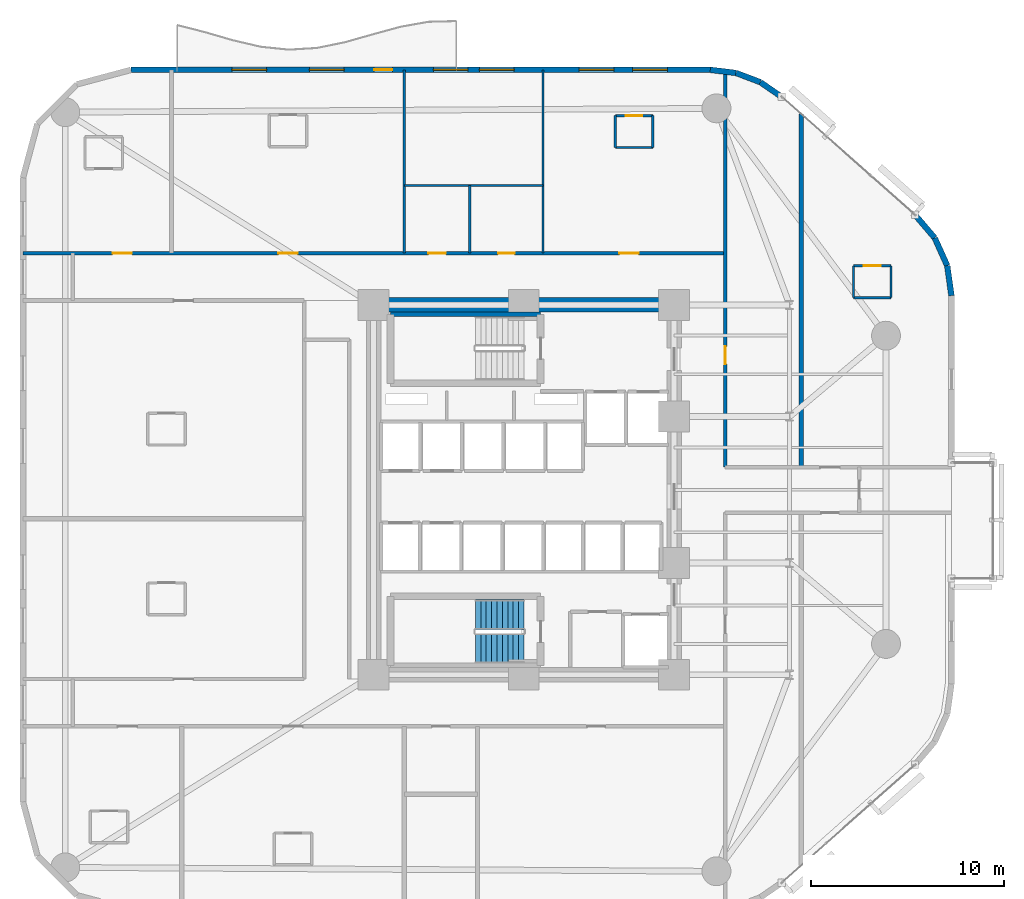
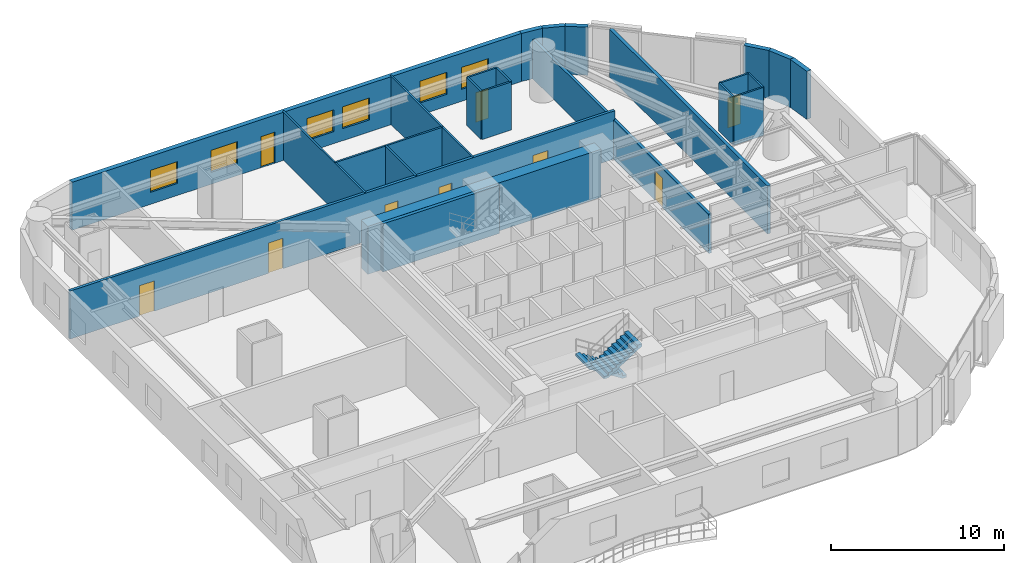
# One storey, part 13 of 17: 24 walls, 9 doors, 6 windows, 2 stair flights, 15 openings, 1 element without a shape of its own.
"""IFC4 building model written with IfcOpenShell, lengths in metres."""

from ifc_helpers import new_model, si_unit, direction, frame, frame_2d, origin, place, context, subcontext, project, spatial, polyline, rectangle, outline, extrude, material, layer, layer_set, type_object, element, fill, aggregate, save


model = new_model("IFC4")

# Units and contexts
model_context = context("Model", 3, precision=1e-05, world=origin(), true_north=direction((0.0, 1.0)))
body_context = subcontext(model_context, "Body", "Model", "MODEL_VIEW")
ifc_project = project(units=[si_unit("LENGTHUNIT", "METRE"), si_unit("AREAUNIT", "SQUARE_METRE"), si_unit("VOLUMEUNIT", "CUBIC_METRE"), si_unit("PLANEANGLEUNIT", "RADIAN"), si_unit("MASSUNIT", "GRAM", prefix="KILO")], contexts=[model_context])

# Site, building, storey
site_placement = place(None, origin())
site = spatial("IfcSite", under=ifc_project, at=site_placement, CompositionType="ELEMENT")
building_placement = place(site_placement, origin())
building = spatial("IfcBuilding", under=site, at=building_placement, Name="An Khanh Terracotta Commons", CompositionType="ELEMENT")
storey_placement = place(building_placement, frame((0.0, 0.0, 36.0)))
storey = spatial("IfcBuildingStorey", under=building, at=storey_placement, Name="L09", CompositionType="ELEMENT", Elevation=36.0)

# Wall
ifc_material_1 = material(Name="Concrete C70/85", Category="concrete")
ifc_layer_1 = layer(ifc_material_1, 0.75, Name="Concrete C70/85")
ifc_layer_set_1 = layer_set([ifc_layer_1], Name="Concrete C70/85")
wall_type_1 = type_object("IfcWallType", Name="WALL-CORE-750", PredefinedType="SHEAR", material=ifc_layer_set_1)
wall_1_placement = place(storey_placement, frame((21.60009765625, 33.60009765625, 0.0), z_axis=(0.0, 0.0, 1.0), x_axis=(1.0, 0.0, 0.0)))
element("IfcWall", 1, at=wall_1_placement, inside=storey, type_object=wall_type_1, Name="L09 Core Wall CWALL-L09-N", PredefinedType="SHEAR", context=body_context, shape_type="SweptSolid", body=[
    extrude(rectangle(XDim=15.599853515625, YDim=0.75, at=frame_2d((7.7998046875, 0.0))), origin(), (0.0, 0.0, 1.0), 3.39990234375),
])

# Wall, openings, doors
ifc_material_2 = material(Name="Fire-Rated Gypsum Board on Steel Stud", Category="steel")
ifc_layer_2 = layer(ifc_material_2, 0.179931640625, Name="Fire-Rated Gypsum Board on Steel Stud")
ifc_layer_set_2 = layer_set([ifc_layer_2], Name="Fire-Rated Gypsum Board on Steel Stud")
wall_type_2 = type_object("IfcWallType", Name="WALL-CORR-180", PredefinedType="PARTITIONING", material=ifc_layer_set_2)
wall_2_placement = place(storey_placement, frame((3.39990234375, 36.280029296875, 0.0), z_axis=(0.0, 0.0, 1.0), x_axis=(1.0, 0.0, 0.0)))
wall_2 = element("IfcWall", 2, at=wall_2_placement, inside=storey, type_object=wall_type_2, Name="L09 Interior Partition IW-L09-E009", PredefinedType="PARTITIONING", context=body_context, shape_type="SweptSolid", body=[
    extrude(rectangle(XDim=36.4501953125, YDim=0.179931640625, at=frame_2d((18.22509765625, 0.0))), origin(), (0.0, 0.0, 1.0), 3.39990234375),
])
opening_1_placement = place(wall_2_placement, frame((21.050048828125, 0.0, 0.0)))
opening_1 = element("IfcOpeningElement", 3, at=opening_1_placement, cuts=wall_2, Name="Opening D-WC", PredefinedType="OPENING", context=body_context, shape_type="SweptSolid", body=[
    extrude(rectangle(XDim=0.89990234375, YDim=2.10009765625, at=frame_2d((0.449951171875, 1.050048828125))), frame((0.0, 0.099853515625, 0.0), z_axis=(0.0, -1.0, 0.0), x_axis=(1.0, 0.0, 0.0)), (0.0, 0.0, 1.0), 0.199951171875),
])
opening_2_placement = place(wall_2_placement, frame((24.669921875, 0.0, 0.0)))
opening_2 = element("IfcOpeningElement", 4, at=opening_2_placement, cuts=wall_2, Name="Opening D-ENS", PredefinedType="OPENING", context=body_context, shape_type="SweptSolid", body=[
    extrude(rectangle(XDim=0.860107421875, YDim=2.10009765625, at=frame_2d((0.43017578125, 1.050048828125))), frame((0.0, 0.099853515625, 0.0), z_axis=(0.0, -1.0, 0.0), x_axis=(1.0, 0.0, 0.0)), (0.0, 0.0, 1.0), 0.199951171875),
])
opening_3_placement = place(wall_2_placement, frame((4.658935546875, 0.0, 0.0)))
opening_3 = element("IfcOpeningElement", 5, at=opening_3_placement, cuts=wall_2, Name="Opening D-UN", PredefinedType="OPENING", context=body_context, shape_type="SweptSolid", body=[
    extrude(rectangle(XDim=1.0, YDim=2.14990234375, at=frame_2d((0.5, 1.074951171875))), frame((0.0, 0.099853515625, 0.0), z_axis=(0.0, -1.0, 0.0), x_axis=(1.0, 0.0, 0.0)), (0.0, 0.0, 1.0), 0.199951171875),
])
opening_4_placement = place(wall_2_placement, frame((13.258056640625, 0.0, 0.0)))
opening_4 = element("IfcOpeningElement", 6, at=opening_4_placement, cuts=wall_2, Name="Opening D-UN", PredefinedType="OPENING", context=body_context, shape_type="SweptSolid", body=[
    extrude(rectangle(XDim=1.0, YDim=2.14990234375, at=frame_2d((0.5, 1.074951171875))), frame((0.0, 0.099853515625, 0.0), z_axis=(0.0, -1.0, 0.0), x_axis=(1.0, 0.0, 0.0)), (0.0, 0.0, 1.0), 0.199951171875),
])
opening_5_placement = place(wall_2_placement, frame((30.965087890625, 0.0, 0.0)))
opening_5 = element("IfcOpeningElement", 7, at=opening_5_placement, cuts=wall_2, Name="Opening D-UN", PredefinedType="OPENING", context=body_context, shape_type="SweptSolid", body=[
    extrude(rectangle(XDim=1.0, YDim=2.14990234375, at=frame_2d((0.5, 1.074951171875))), frame((0.0, 0.099853515625, 0.0), z_axis=(0.0, -1.0, 0.0), x_axis=(1.0, 0.0, 0.0)), (0.0, 0.0, 1.0), 0.199951171875),
])
ifc_material_3 = material(Name="Moisture-Resistant Hardwood Timber Leaf", Category="wood")
door_type_1 = type_object("IfcDoorType", Name="DOOR-BATH-860", OperationType="NOTDEFINED", PredefinedType="DOOR", material=ifc_material_3)
door_1_placement = place(opening_2_placement, origin())
door_1 = element("IfcDoor", 8, at=door_1_placement, inside=storey, type_object=door_type_1, Name="L09 SHW Resident Shared Shower and Washroom Door", OperationType="SINGLE_SWING_LEFT", OverallHeight=2.10009765625, OverallWidth=0.860107421875, PredefinedType="DOOR", context=body_context, shape_type="SweptSolid", body=[
    extrude(rectangle(XDim=0.860107421875, YDim=2.10009765625, at=frame_2d((0.43017578125, 1.050048828125))), frame((0.0, 0.02490234375, 0.0), z_axis=(0.0, -1.0, 0.0), x_axis=(1.0, 0.0, 0.0)), (0.0, 0.0, 1.0), 0.050048828125),
])
fill(opening_2, door_1)
ifc_material_4 = material(Name="Solid-Core Hardwood Acoustic Fire Door", Category="wood")
door_type_2 = type_object("IfcDoorType", Name="DOOR-UNIT-1000", OperationType="NOTDEFINED", PredefinedType="DOOR", material=ifc_material_4)
door_2_placement = place(opening_3_placement, origin())
door_2 = element("IfcDoor", 9, at=door_2_placement, inside=storey, type_object=door_type_2, Name="L09 NW1 Kitchenette and Studio Apartment Door", OperationType="SINGLE_SWING_RIGHT", OverallHeight=2.14990234375, OverallWidth=1.0, PredefinedType="DOOR", context=body_context, shape_type="SweptSolid", body=[
    extrude(rectangle(XDim=1.0, YDim=2.14990234375, at=frame_2d((0.5, 1.074951171875))), frame((0.0, 0.02490234375, 0.0), z_axis=(0.0, -1.0, 0.0), x_axis=(1.0, 0.0, 0.0)), (0.0, 0.0, 1.0), 0.050048828125),
])
fill(opening_3, door_2)
door_3_placement = place(opening_4_placement, origin())
door_3 = element("IfcDoor", 10, at=door_3_placement, inside=storey, type_object=door_type_2, Name="L09 NW2 Kitchenette and Studio Apartment Door", OperationType="SINGLE_SWING_LEFT", OverallHeight=2.14990234375, OverallWidth=1.0, PredefinedType="DOOR", context=body_context, shape_type="SweptSolid", body=[
    extrude(rectangle(XDim=1.0, YDim=2.14990234375, at=frame_2d((0.5, 1.074951171875))), frame((0.0, 0.02490234375, 0.0), z_axis=(0.0, -1.0, 0.0), x_axis=(1.0, 0.0, 0.0)), (0.0, 0.0, 1.0), 0.050048828125),
])
fill(opening_4, door_3)
door_4_placement = place(opening_5_placement, origin())
door_4 = element("IfcDoor", 11, at=door_4_placement, inside=storey, type_object=door_type_2, Name="L09 NWE Kitchenette and Studio Apartment Door", OperationType="SINGLE_SWING_RIGHT", OverallHeight=2.14990234375, OverallWidth=1.0, PredefinedType="DOOR", context=body_context, shape_type="SweptSolid", body=[
    extrude(rectangle(XDim=1.0, YDim=2.14990234375, at=frame_2d((0.5, 1.074951171875))), frame((0.0, 0.02490234375, 0.0), z_axis=(0.0, -1.0, 0.0), x_axis=(1.0, 0.0, 0.0)), (0.0, 0.0, 1.0), 0.050048828125),
])
fill(opening_5, door_4)
ifc_material_5 = material(Name="Laminate Moisture-Resistant Timber Leaf", Category="wood")
door_type_3 = type_object("IfcDoorType", Name="DOOR-WC-900", OperationType="NOTDEFINED", PredefinedType="DOOR", material=ifc_material_5)
door_5_placement = place(opening_1_placement, origin())
door_5 = element("IfcDoor", 12, at=door_5_placement, inside=storey, type_object=door_type_3, Name="L09 AWC Accessible WC Door", OperationType="SINGLE_SWING_RIGHT", OverallHeight=2.10009765625, OverallWidth=0.89990234375, PredefinedType="DOOR", context=body_context, shape_type="SweptSolid", body=[
    extrude(rectangle(XDim=0.89990234375, YDim=2.10009765625, at=frame_2d((0.449951171875, 1.050048828125))), frame((0.0, 0.02490234375, 0.0), z_axis=(0.0, -1.0, 0.0), x_axis=(1.0, 0.0, 0.0)), (0.0, 0.0, 1.0), 0.050048828125),
])
fill(opening_1, door_5)

# Wall, opening, door
wall_3_placement = place(storey_placement, frame((39.85009765625, 25.179931640625, 0.0), z_axis=(0.0, 0.0, 1.0), x_axis=(0.0, 1.0, 0.0)))
wall_3 = element("IfcWall", 13, at=wall_3_placement, inside=storey, type_object=wall_type_2, Name="L09 Interior Partition IW-L09-E023", PredefinedType="PARTITIONING", context=body_context, shape_type="SweptSolid", body=[
    extrude(rectangle(XDim=20.527099609375, YDim=0.179931640625, at=frame_2d((10.263671875, 0.0))), origin(), (0.0, 0.0, 1.0), 2.781982421875),
])
opening_6_placement = place(wall_3_placement, frame((5.35009765625, 0.0, 0.0)))
opening_6 = element("IfcOpeningElement", 14, at=opening_6_placement, cuts=wall_3, Name="Opening D-RM", PredefinedType="OPENING", context=body_context, shape_type="SweptSolid", body=[
    extrude(rectangle(XDim=0.919921875, YDim=2.10009765625, at=frame_2d((0.4599609375, 1.050048828125))), frame((0.0, 0.099853515625, 0.0), z_axis=(0.0, -1.0, 0.0), x_axis=(1.0, 0.0, 0.0)), (0.0, 0.0, 1.0), 0.199951171875),
])
ifc_material_6 = material(Name="Engineered Hardwood Timber Leaf", Category="wood")
door_type_4 = type_object("IfcDoorType", Name="DOOR-INT-920", OperationType="NOTDEFINED", PredefinedType="DOOR", material=ifc_material_6)
door_6_placement = place(opening_6_placement, origin())
door_6 = element("IfcDoor", 15, at=door_6_placement, inside=storey, type_object=door_type_4, Name="L09 NB1 Quiet Focus Office Door", OperationType="SINGLE_SWING_LEFT", OverallHeight=2.10009765625, OverallWidth=0.919921875, PredefinedType="DOOR", context=body_context, shape_type="SweptSolid", body=[
    extrude(rectangle(XDim=0.919921875, YDim=2.10009765625, at=frame_2d((0.4599609375, 1.050048828125))), frame((0.0, 0.02490234375, 0.0), z_axis=(0.0, -1.0, 0.0), x_axis=(1.0, 0.0, 0.0)), (0.0, 0.0, 1.0), 0.050048828125),
])
fill(opening_6, door_6)

# Walls
ifc_material_7 = material(Name="Precast concrete C40/50", Category="concrete")
ifc_layer_3 = layer(ifc_material_7, 0.300048828125, Name="Precast concrete C40/50")
ifc_layer_set_3 = layer_set([ifc_layer_3], Name="Precast concrete C40/50")
wall_type_3 = type_object("IfcWallType", Name="WALL-EXT-300", PredefinedType="SOLIDWALL", material=ifc_layer_set_3)
wall_4_placement = place(storey_placement, frame((51.60009765625, 34.076904296875, 0.0), z_axis=(0.0, 0.0, 1.0), x_axis=(-0.140380048512, 0.990097693149, 0.0)))
element("IfcWall", 16, at=wall_4_placement, inside=storey, type_object=wall_type_3, Name="L09 Insulated Terracotta Exterior Wall 13", PredefinedType="SOLIDWALL", context=body_context, shape_type="SweptSolid", body=[
    extrude(rectangle(XDim=1.57568359375, YDim=0.300048828125, at=frame_2d((0.787841796875, 0.0))), origin(), (0.0, 0.0, 1.0), 3.39990234375),
])
wall_5_placement = place(storey_placement, frame((51.37890625, 35.636962890625, 0.0), z_axis=(0.0, 0.0, 1.0), x_axis=(-0.410996558744, 0.911636895206, 0.0)))
element("IfcWall", 17, at=wall_5_placement, inside=storey, type_object=wall_type_3, Name="L09 Insulated Terracotta Exterior Wall 14", PredefinedType="SOLIDWALL", context=body_context, shape_type="SweptSolid", body=[
    extrude(rectangle(XDim=1.57421875, YDim=0.300048828125, at=frame_2d((0.787109375, 0.0))), origin(), (0.0, 0.0, 1.0), 3.39990234375),
])
wall_6_placement = place(storey_placement, frame((50.73193359375, 37.072021484375, 0.0), z_axis=(0.0, 0.0, 1.0), x_axis=(-0.648389989909, 0.7613083613, 0.0)))
element("IfcWall", 18, at=wall_6_placement, inside=storey, type_object=wall_type_3, Name="L09 Insulated Terracotta Exterior Wall 15", PredefinedType="SOLIDWALL", context=body_context, shape_type="SweptSolid", body=[
    extrude(rectangle(XDim=1.576171875, YDim=0.300048828125, at=frame_2d((0.7880859375, 0.0))), origin(), (0.0, 0.0, 1.0), 3.39990234375),
])
wall_7_placement = place(storey_placement, frame((42.7890625, 44.39404296875, 0.0), z_axis=(0.0, 0.0, 1.0), x_axis=(-0.823116500192, 0.567872544777, 0.0)))
element("IfcWall", 19, at=wall_7_placement, inside=storey, type_object=wall_type_3, Name="L09 Insulated Terracotta Exterior Wall 17", PredefinedType="SOLIDWALL", context=body_context, shape_type="SweptSolid", body=[
    extrude(rectangle(XDim=1.3486328125, YDim=0.300048828125, at=frame_2d((0.67431640625, 0.0))), origin(), (0.0, 0.0, 1.0), 3.39990234375),
])
wall_8_placement = place(storey_placement, frame((41.678955078125, 45.159912109375, 0.0), z_axis=(0.0, 0.0, 1.0), x_axis=(-0.935156721165, 0.354234254216, 0.0)))
element("IfcWall", 20, at=wall_8_placement, inside=storey, type_object=wall_type_3, Name="L09 Insulated Terracotta Exterior Wall 18", PredefinedType="SOLIDWALL", context=body_context, shape_type="SweptSolid", body=[
    extrude(rectangle(XDim=1.349365234375, YDim=0.300048828125, at=frame_2d((0.6748046875, 0.0))), origin(), (0.0, 0.0, 1.0), 3.39990234375),
])
wall_9_placement = place(storey_placement, frame((40.4169921875, 45.637939453125, 0.0), z_axis=(0.0, 0.0, 1.0), x_axis=(-0.992739027259, 0.120288086515, 0.0)))
element("IfcWall", 21, at=wall_9_placement, inside=storey, type_object=wall_type_3, Name="L09 Insulated Terracotta Exterior Wall 19", PredefinedType="SOLIDWALL", context=body_context, shape_type="SweptSolid", body=[
    extrude(rectangle(XDim=1.34765625, YDim=0.300048828125, at=frame_2d((0.673828125, 0.0))), origin(), (0.0, 0.0, 1.0), 3.39990234375),
])

# Wall, openings, door, windows
wall_10_placement = place(storey_placement, frame((39.0791015625, 45.800048828125, 0.0), z_axis=(0.0, 0.0, 1.0), x_axis=(-1.0, 0.0, 0.0)))
wall_10 = element("IfcWall", 22, at=wall_10_placement, inside=storey, type_object=wall_type_3, Name="L09 Insulated Terracotta Exterior Wall 20", PredefinedType="SOLIDWALL", context=body_context, shape_type="SweptSolid", body=[
    extrude(rectangle(XDim=30.0791015625, YDim=0.300048828125, at=frame_2d((15.03955078125, 0.0))), origin(), (0.0, 0.0, 1.0), 3.39990234375),
])
opening_7_placement = place(wall_10_placement, frame((16.50390625, 0.0, 0.0)))
opening_7 = element("IfcOpeningElement", 23, at=opening_7_placement, cuts=wall_10, Name="Opening D-BAL", PredefinedType="OPENING", context=body_context, shape_type="SweptSolid", body=[
    extrude(rectangle(XDim=0.949951171875, YDim=2.199951171875, at=frame_2d((0.47509765625, 1.10009765625))), frame((0.0, 0.159912109375, 0.0), z_axis=(0.0, -1.0, 0.0), x_axis=(1.0, 0.0, 0.0)), (0.0, 0.0, 1.0), 0.320068359375),
])
opening_8_placement = place(wall_10_placement, frame((2.22607421875, 0.0, 0.85009765625)))
opening_8 = element("IfcOpeningElement", 24, at=opening_8_placement, cuts=wall_10, Name="Opening W-01", PredefinedType="OPENING", context=body_context, shape_type="SweptSolid", body=[
    extrude(rectangle(XDim=1.800048828125, YDim=1.550048828125, at=frame_2d((0.89990234375, 0.77490234375))), frame((0.0, 0.159912109375, 0.0), z_axis=(0.0, -1.0, 0.0), x_axis=(1.0, 0.0, 0.0)), (0.0, 0.0, 1.0), 0.320068359375),
])
opening_9_placement = place(wall_10_placement, frame((5.0029296875, 0.0, 0.85009765625)))
opening_9 = element("IfcOpeningElement", 25, at=opening_9_placement, cuts=wall_10, Name="Opening W-01", PredefinedType="OPENING", context=body_context, shape_type="SweptSolid", body=[
    extrude(rectangle(XDim=1.800048828125, YDim=1.550048828125, at=frame_2d((0.89990234375, 0.77490234375))), frame((0.0, 0.159912109375, 0.0), z_axis=(0.0, -1.0, 0.0), x_axis=(1.0, 0.0, 0.0)), (0.0, 0.0, 1.0), 0.320068359375),
])
opening_10_placement = place(wall_10_placement, frame((10.178955078125, 0.0, 0.85009765625)))
opening_10 = element("IfcOpeningElement", 26, at=opening_10_placement, cuts=wall_10, Name="Opening W-01", PredefinedType="OPENING", context=body_context, shape_type="SweptSolid", body=[
    extrude(rectangle(XDim=1.800048828125, YDim=1.550048828125, at=frame_2d((0.89990234375, 0.77490234375))), frame((0.0, 0.159912109375, 0.0), z_axis=(0.0, -1.0, 0.0), x_axis=(1.0, 0.0, 0.0)), (0.0, 0.0, 1.0), 0.320068359375),
])
opening_11_placement = place(wall_10_placement, frame((12.5791015625, 0.0, 0.85009765625)))
opening_11 = element("IfcOpeningElement", 27, at=opening_11_placement, cuts=wall_10, Name="Opening W-01", PredefinedType="OPENING", context=body_context, shape_type="SweptSolid", body=[
    extrude(rectangle(XDim=1.800048828125, YDim=1.550048828125, at=frame_2d((0.89990234375, 0.77490234375))), frame((0.0, 0.159912109375, 0.0), z_axis=(0.0, -1.0, 0.0), x_axis=(1.0, 0.0, 0.0)), (0.0, 0.0, 1.0), 0.320068359375),
])
opening_12_placement = place(wall_10_placement, frame((19.007080078125, 0.0, 0.85009765625)))
opening_12 = element("IfcOpeningElement", 28, at=opening_12_placement, cuts=wall_10, Name="Opening W-01", PredefinedType="OPENING", context=body_context, shape_type="SweptSolid", body=[
    extrude(rectangle(XDim=1.800048828125, YDim=1.550048828125, at=frame_2d((0.89990234375, 0.77490234375))), frame((0.0, 0.159912109375, 0.0), z_axis=(0.0, -1.0, 0.0), x_axis=(1.0, 0.0, 0.0)), (0.0, 0.0, 1.0), 0.320068359375),
])
opening_13_placement = place(wall_10_placement, frame((23.033935546875, 0.0, 0.85009765625)))
opening_13 = element("IfcOpeningElement", 29, at=opening_13_placement, cuts=wall_10, Name="Opening W-01", PredefinedType="OPENING", context=body_context, shape_type="SweptSolid", body=[
    extrude(rectangle(XDim=1.800048828125, YDim=1.550048828125, at=frame_2d((0.89990234375, 0.77490234375))), frame((0.0, 0.159912109375, 0.0), z_axis=(0.0, -1.0, 0.0), x_axis=(1.0, 0.0, 0.0)), (0.0, 0.0, 1.0), 0.320068359375),
])
ifc_material_8 = material(Name="Thermally Broken Aluminium and Low-E Glass", Category="aluminium")
door_type_5 = type_object("IfcDoorType", Name="DOOR-BALC-950", OperationType="NOTDEFINED", PredefinedType="DOOR", material=ifc_material_8)
door_7_placement = place(opening_7_placement, origin())
door_7 = element("IfcDoor", 30, at=door_7_placement, inside=storey, type_object=door_type_5, Name="L09 N Wave Balcony Glazed Door", OperationType="SINGLE_SWING_RIGHT", OverallHeight=2.199951171875, OverallWidth=0.949951171875, PredefinedType="DOOR", context=body_context, shape_type="SweptSolid", body=[
    extrude(rectangle(XDim=0.949951171875, YDim=2.199951171875, at=frame_2d((0.47509765625, 1.10009765625))), frame((0.0, 0.02490234375, 0.0), z_axis=(0.0, -1.0, 0.0), x_axis=(1.0, 0.0, 0.0)), (0.0, 0.0, 1.0), 0.050048828125),
])
fill(opening_7, door_7)
window_type = type_object("IfcWindowType", Name="WIN-Z1-1800x1550", PartitioningType="DOUBLE_PANEL_VERTICAL", PredefinedType="WINDOW", material=ifc_material_8)
window_1_placement = place(opening_8_placement, origin())
window_1 = element("IfcWindow", 31, at=window_1_placement, inside=storey, type_object=window_type, Name="L09 Operable Casement Window 20.1", OverallHeight=1.550048828125, OverallWidth=1.800048828125, PartitioningType="DOUBLE_PANEL_VERTICAL", PredefinedType="WINDOW", context=body_context, shape_type="SweptSolid", body=[
    extrude(rectangle(XDim=1.800048828125, YDim=1.550048828125, at=frame_2d((0.89990234375, 0.77490234375))), frame((0.0, 0.030029296875, 0.0), z_axis=(0.0, -1.0, 0.0), x_axis=(1.0, 0.0, 0.0)), (0.0, 0.0, 1.0), 0.06005859375),
])
fill(opening_8, window_1)
window_2_placement = place(opening_9_placement, origin())
window_2 = element("IfcWindow", 32, at=window_2_placement, inside=storey, type_object=window_type, Name="L09 Operable Casement Window 20.2", OverallHeight=1.550048828125, OverallWidth=1.800048828125, PartitioningType="DOUBLE_PANEL_VERTICAL", PredefinedType="WINDOW", context=body_context, shape_type="SweptSolid", body=[
    extrude(rectangle(XDim=1.800048828125, YDim=1.550048828125, at=frame_2d((0.89990234375, 0.77490234375))), frame((0.0, 0.030029296875, 0.0), z_axis=(0.0, -1.0, 0.0), x_axis=(1.0, 0.0, 0.0)), (0.0, 0.0, 1.0), 0.06005859375),
])
fill(opening_9, window_2)
window_3_placement = place(opening_10_placement, origin())
window_3 = element("IfcWindow", 33, at=window_3_placement, inside=storey, type_object=window_type, Name="L09 Operable Casement Window 20.3", OverallHeight=1.550048828125, OverallWidth=1.800048828125, PartitioningType="DOUBLE_PANEL_VERTICAL", PredefinedType="WINDOW", context=body_context, shape_type="SweptSolid", body=[
    extrude(rectangle(XDim=1.800048828125, YDim=1.550048828125, at=frame_2d((0.89990234375, 0.77490234375))), frame((0.0, 0.030029296875, 0.0), z_axis=(0.0, -1.0, 0.0), x_axis=(1.0, 0.0, 0.0)), (0.0, 0.0, 1.0), 0.06005859375),
])
fill(opening_10, window_3)
window_4_placement = place(opening_11_placement, origin())
window_4 = element("IfcWindow", 34, at=window_4_placement, inside=storey, type_object=window_type, Name="L09 Operable Casement Window 20.4", OverallHeight=1.550048828125, OverallWidth=1.800048828125, PartitioningType="DOUBLE_PANEL_VERTICAL", PredefinedType="WINDOW", context=body_context, shape_type="SweptSolid", body=[
    extrude(rectangle(XDim=1.800048828125, YDim=1.550048828125, at=frame_2d((0.89990234375, 0.77490234375))), frame((0.0, 0.030029296875, 0.0), z_axis=(0.0, -1.0, 0.0), x_axis=(1.0, 0.0, 0.0)), (0.0, 0.0, 1.0), 0.06005859375),
])
fill(opening_11, window_4)
window_5_placement = place(opening_12_placement, origin())
window_5 = element("IfcWindow", 35, at=window_5_placement, inside=storey, type_object=window_type, Name="L09 Operable Casement Window 20.5", OverallHeight=1.550048828125, OverallWidth=1.800048828125, PartitioningType="DOUBLE_PANEL_VERTICAL", PredefinedType="WINDOW", context=body_context, shape_type="SweptSolid", body=[
    extrude(rectangle(XDim=1.800048828125, YDim=1.550048828125, at=frame_2d((0.89990234375, 0.77490234375))), frame((0.0, 0.030029296875, 0.0), z_axis=(0.0, -1.0, 0.0), x_axis=(1.0, 0.0, 0.0)), (0.0, 0.0, 1.0), 0.06005859375),
])
fill(opening_12, window_5)
window_6_placement = place(opening_13_placement, origin())
window_6 = element("IfcWindow", 36, at=window_6_placement, inside=storey, type_object=window_type, Name="L09 Operable Casement Window 20.6", OverallHeight=1.550048828125, OverallWidth=1.800048828125, PartitioningType="DOUBLE_PANEL_VERTICAL", PredefinedType="WINDOW", context=body_context, shape_type="SweptSolid", body=[
    extrude(rectangle(XDim=1.800048828125, YDim=1.550048828125, at=frame_2d((0.89990234375, 0.77490234375))), frame((0.0, 0.030029296875, 0.0), z_axis=(0.0, -1.0, 0.0), x_axis=(1.0, 0.0, 0.0)), (0.0, 0.0, 1.0), 0.06005859375),
])
fill(opening_13, window_6)

# Walls
ifc_material_9 = material(Name="Acoustic Double-Stud Gypsum and Mineral Wool")
ifc_layer_4 = layer(ifc_material_9, 0.219970703125, Name="Acoustic Double-Stud Gypsum and Mineral Wool")
ifc_layer_set_4 = layer_set([ifc_layer_4], Name="Acoustic Double-Stud Gypsum and Mineral Wool")
wall_type_4 = type_object("IfcWallType", Name="WALL-PARTY-220", PredefinedType="PARTITIONING", material=ifc_layer_set_4)
wall_11_placement = place(storey_placement, frame((22.47998046875, 33.110107421875, 0.0), z_axis=(0.0, 0.0, 1.0), x_axis=(1.0, 0.0, 0.0)))
element("IfcWall", 37, at=wall_11_placement, inside=storey, type_object=wall_type_4, Name="L09 Core Wall STW-L09-N-N", PredefinedType="PARTITIONING", context=body_context, shape_type="SweptSolid", body=[
    extrude(rectangle(XDim=7.7900390625, YDim=0.219970703125, at=frame_2d((3.89501953125, 0.0))), origin(), (0.0, 0.0, 1.0), 3.39990234375),
])
wall_12_placement = place(storey_placement, frame((43.800048828125, 25.179931640625, 0.0), z_axis=(0.0, 0.0, 1.0), x_axis=(0.0, 1.0, 0.0)))
element("IfcWall", 38, at=wall_12_placement, inside=storey, type_object=wall_type_4, Name="L09 Interior Partition IW-L09-E025", PredefinedType="PARTITIONING", context=body_context, shape_type="SweptSolid", body=[
    extrude(rectangle(XDim=18.320068359375, YDim=0.219970703125, at=frame_2d((9.16015625, 0.0))), origin(), (0.0, 0.0, 1.0), 3.39990234375),
])

# Wall, opening, door
ifc_material_10 = material(Name="Moisture-Resistant Cement Board Partition")
ifc_layer_5 = layer(ifc_material_10, 0.1201171875, Name="Moisture-Resistant Cement Board Partition")
ifc_layer_set_5 = layer_set([ifc_layer_5], Name="Moisture-Resistant Cement Board Partition")
wall_type_5 = type_object("IfcWallType", Name="WALL-WET-120", PredefinedType="PARTITIONING", material=ifc_layer_set_5)
wall_13_placement = place(storey_placement, frame((46.511962890625, 35.6259765625, 0.0), z_axis=(0.0, 0.0, 1.0), x_axis=(1.0, 0.0, 0.0)))
wall_13 = element("IfcWall", 39, at=wall_13_placement, inside=storey, type_object=wall_type_5, Name="L09 Interior Partition IW-L09-ENO1-BN", PredefinedType="PARTITIONING", context=body_context, shape_type="SweptSolid", body=[
    extrude(rectangle(XDim=1.949951171875, YDim=0.1201171875, at=frame_2d((0.97509765625, 0.0))), origin(), (0.0, 0.0, 1.0), 3.39990234375),
])
opening_14_placement = place(wall_13_placement, frame((0.544921875, 0.0, 0.0)))
opening_14 = element("IfcOpeningElement", 40, at=opening_14_placement, cuts=wall_13, Name="Opening D-ENS", PredefinedType="OPENING", context=body_context, shape_type="SweptSolid", body=[
    extrude(rectangle(XDim=0.860107421875, YDim=2.10009765625, at=frame_2d((0.43017578125, 1.050048828125))), frame((0.0, 0.070068359375, 0.0), z_axis=(0.0, -1.0, 0.0), x_axis=(1.0, 0.0, 0.0)), (0.0, 0.0, 1.0), 0.14013671875),
])
door_8_placement = place(opening_14_placement, origin())
door_8 = element("IfcDoor", 41, at=door_8_placement, inside=storey, type_object=door_type_1, Name="L09 Studio ENO1 En-suite Door", OperationType="SINGLE_SWING_RIGHT", OverallHeight=2.10009765625, OverallWidth=0.860107421875, PredefinedType="DOOR", context=body_context, shape_type="SweptSolid", body=[
    extrude(rectangle(XDim=0.860107421875, YDim=2.10009765625, at=frame_2d((0.43017578125, 1.050048828125))), frame((0.0, 0.02490234375, 0.0), z_axis=(0.0, -1.0, 0.0), x_axis=(1.0, 0.0, 0.0)), (0.0, 0.0, 1.0), 0.050048828125),
])
fill(opening_14, door_8)

# Walls
wall_14_placement = place(storey_placement, frame((48.4619140625, 33.97607421875, 0.0), z_axis=(0.0, 0.0, 1.0), x_axis=(-1.0, 0.0, 0.0)))
element("IfcWall", 42, at=wall_14_placement, inside=storey, type_object=wall_type_5, Name="L09 Interior Partition IW-L09-ENO1-BS", PredefinedType="PARTITIONING", context=body_context, shape_type="SweptSolid", body=[
    extrude(rectangle(XDim=1.949951171875, YDim=0.1201171875, at=frame_2d((0.97509765625, 0.0))), origin(), (0.0, 0.0, 1.0), 3.39990234375),
])
for number, where, z_axis, x_axis, name in (
    (43, (46.511962890625, 35.6259765625, 0.0), (0.0, 0.0, 1.0), (0.0, -1.0, 0.0), "L09 Interior Partition IW-L09-ENO1-BW"),
    (44, (48.4619140625, 33.97607421875, 0.0), (0.0, 0.0, 1.0), (0.0, 1.0, 0.0), "L09 Interior Partition IW-L09-ENO1-BE"),
):
    element("IfcWall", number, at=place(storey_placement, frame(where, z_axis=z_axis, x_axis=x_axis)), inside=storey, type_object=wall_type_5, Name=name, PredefinedType="PARTITIONING", context=body_context, shape_type="SweptSolid", body=[
        extrude(rectangle(XDim=1.64990234375, YDim=0.1201171875, at=frame_2d((0.824951171875, 0.0))), origin(), (0.0, 0.0, 1.0), 3.39990234375),
    ])

# Wall, opening, door
wall_15_placement = place(storey_placement, frame((34.14990234375, 43.4169921875, 0.0), z_axis=(0.0, 0.0, 1.0), x_axis=(1.0, 0.0, 0.0)))
wall_15 = element("IfcWall", 45, at=wall_15_placement, inside=storey, type_object=wall_type_5, Name="L09 Interior Partition IW-L09-NWE-BN", PredefinedType="PARTITIONING", context=body_context, shape_type="SweptSolid", body=[
    extrude(rectangle(XDim=1.9501953125, YDim=0.1201171875, at=frame_2d((0.97509765625, 0.0))), origin(), (0.0, 0.0, 1.0), 3.39990234375),
])
opening_15_placement = place(wall_15_placement, frame((0.544921875, 0.0, 0.0)))
opening_15 = element("IfcOpeningElement", 46, at=opening_15_placement, cuts=wall_15, Name="Opening D-ENS", PredefinedType="OPENING", context=body_context, shape_type="SweptSolid", body=[
    extrude(rectangle(XDim=0.860107421875, YDim=2.10009765625, at=frame_2d((0.43017578125, 1.050048828125))), frame((0.0, 0.070068359375, 0.0), z_axis=(0.0, -1.0, 0.0), x_axis=(1.0, 0.0, 0.0)), (0.0, 0.0, 1.0), 0.14013671875),
])
door_9_placement = place(opening_15_placement, origin())
door_9 = element("IfcDoor", 47, at=door_9_placement, inside=storey, type_object=door_type_1, Name="L09 Studio NWE En-suite Door", OperationType="SINGLE_SWING_LEFT", OverallHeight=2.10009765625, OverallWidth=0.860107421875, PredefinedType="DOOR", context=body_context, shape_type="SweptSolid", body=[
    extrude(rectangle(XDim=0.860107421875, YDim=2.10009765625, at=frame_2d((0.43017578125, 1.050048828125))), frame((0.0, 0.02490234375, 0.0), z_axis=(0.0, -1.0, 0.0), x_axis=(1.0, 0.0, 0.0)), (0.0, 0.0, 1.0), 0.050048828125),
])
fill(opening_15, door_9)

# Walls
wall_16_placement = place(storey_placement, frame((36.10009765625, 41.76708984375, 0.0), z_axis=(0.0, 0.0, 1.0), x_axis=(-1.0, 0.0, 0.0)))
element("IfcWall", 48, at=wall_16_placement, inside=storey, type_object=wall_type_5, Name="L09 Interior Partition IW-L09-NWE-BS", PredefinedType="PARTITIONING", context=body_context, shape_type="SweptSolid", body=[
    extrude(rectangle(XDim=1.9501953125, YDim=0.1201171875, at=frame_2d((0.97509765625, 0.0))), origin(), (0.0, 0.0, 1.0), 3.39990234375),
])
for number, where, z_axis, x_axis, name in (
    (49, (34.14990234375, 43.4169921875, 0.0), (0.0, 0.0, 1.0), (0.0, -1.0, 0.0), "L09 Interior Partition IW-L09-NWE-BW"),
    (50, (36.10009765625, 41.76708984375, 0.0), (0.0, 0.0, 1.0), (0.0, 1.0, 0.0), "L09 Interior Partition IW-L09-NWE-BE"),
):
    element("IfcWall", number, at=place(storey_placement, frame(where, z_axis=z_axis, x_axis=x_axis)), inside=storey, type_object=wall_type_5, Name=name, PredefinedType="PARTITIONING", context=body_context, shape_type="SweptSolid", body=[
        extrude(rectangle(XDim=1.64990234375, YDim=0.1201171875, at=frame_2d((0.824951171875, 0.0))), origin(), (0.0, 0.0, 1.0), 3.39990234375),
    ])
wall_17_placement = place(storey_placement, frame((23.199951171875, 39.800048828125, 0.0), z_axis=(0.0, 0.0, 1.0), x_axis=(1.0, 0.0, 0.0)))
element("IfcWall", 51, at=wall_17_placement, inside=storey, type_object=wall_type_5, Name="L09 Interior Partition IW-L09-E010", PredefinedType="PARTITIONING", context=body_context, shape_type="SweptSolid", body=[
    extrude(rectangle(XDim=7.199951171875, YDim=0.1201171875, at=frame_2d((3.60009765625, 0.0))), origin(), (0.0, 0.0, 1.0), 3.39990234375),
])
wall_18_placement = place(storey_placement, frame((23.199951171875, 36.280029296875, 0.0), z_axis=(0.0, 0.0, 1.0), x_axis=(0.0, 1.0, 0.0)))
element("IfcWall", 52, at=wall_18_placement, inside=storey, type_object=wall_type_5, Name="L09 Interior Partition IW-L09-E018", PredefinedType="PARTITIONING", context=body_context, shape_type="SweptSolid", body=[
    extrude(rectangle(XDim=9.52001953125, YDim=0.1201171875, at=frame_2d((4.760009765625, 0.0))), origin(), (0.0, 0.0, 1.0), 3.39990234375),
])
wall_19_placement = place(storey_placement, frame((26.60009765625, 36.280029296875, 0.0), z_axis=(0.0, 0.0, 1.0), x_axis=(0.0, 1.0, 0.0)))
element("IfcWall", 53, at=wall_19_placement, inside=storey, type_object=wall_type_5, Name="L09 Interior Partition IW-L09-E019", PredefinedType="PARTITIONING", context=body_context, shape_type="SweptSolid", body=[
    extrude(rectangle(XDim=3.52001953125, YDim=0.1201171875, at=frame_2d((1.760009765625, 0.0))), origin(), (0.0, 0.0, 1.0), 3.39990234375),
])
wall_20_placement = place(storey_placement, frame((30.39990234375, 36.280029296875, 0.0), z_axis=(0.0, 0.0, 1.0), x_axis=(0.0, 1.0, 0.0)))
element("IfcWall", 54, at=wall_20_placement, inside=storey, type_object=wall_type_5, Name="L09 Interior Partition IW-L09-E021", PredefinedType="PARTITIONING", context=body_context, shape_type="SweptSolid", body=[
    extrude(rectangle(XDim=9.52001953125, YDim=0.1201171875, at=frame_2d((4.760009765625, 0.0))), origin(), (0.0, 0.0, 1.0), 3.39990234375),
])

# Stair, stair flights
stair_type = type_object("IfcStairType", Name="STAIR-CORE-1550", PredefinedType="HALF_TURN_STAIR", material=ifc_material_7)
stair_placement = place(storey_placement, origin())
stair = element("IfcStair", 55, at=stair_placement, inside=storey, type_object=stair_type, Name="L09 Core Smokeproof Exit Stair ST-02", PredefinedType="HALF_TURN_STAIR")
stair_flight_type = type_object("IfcStairFlightType", Name="FLIGHT-CORE-1550", PredefinedType="STRAIGHT", material=ifc_material_7)
stair_flight_1_placement = place(storey_placement, frame((29.409912109375, 17.52490234375, 0.0), z_axis=(0.0, 0.0, 1.0), x_axis=(-1.0, 0.0, 0.0)))
stair_flight_1 = element("IfcStairFlight", 56, at=stair_flight_1_placement, type_object=stair_flight_type, Name="ST-02 flight 1", NumberOfRisers=10, NumberOfTreads=9, PredefinedType="STRAIGHT", RiserHeight=0.18, TreadLength=0.28, context=body_context, shape_type="SweptSolid", body=[
    extrude(outline(polyline([(0.0, 0.0), (0.0, 0.179931640625), (0.280029296875, 0.179931640625), (0.280029296875, 0.360107421875), (0.56005859375, 0.360107421875), (0.56005859375, 0.5400390625), (0.840087890625, 0.5400390625), (0.840087890625, 0.719970703125), (1.1201171875, 0.719970703125), (1.1201171875, 0.89990234375), (1.39990234375, 0.89990234375), (1.39990234375, 1.080078125), (1.679931640625, 1.080078125), (1.679931640625, 1.260009765625), (1.9599609375, 1.260009765625), (1.9599609375, 1.43994140625), (2.239990234375, 1.43994140625), (2.239990234375, 1.6201171875), (2.52001953125, 1.6201171875), (2.52001953125, 1.800048828125), (2.52001953125, 1.44189453125), (0.277099609375, 0.0), (0.0, 0.0)])), frame((0.0, 0.77490234375, 0.0), z_axis=(0.0, -1.0, 0.0), x_axis=(1.0, 0.0, 0.0)), (0.0, 0.0, 1.0), 1.550048828125),
])
stair_flight_2_placement = place(storey_placement, frame((26.889892578125, 15.77490234375, 1.800048828125), z_axis=(0.0, 0.0, 1.0), x_axis=(1.0, 0.0, 0.0)))
stair_flight_2 = element("IfcStairFlight", 57, at=stair_flight_2_placement, type_object=stair_flight_type, Name="ST-02 flight 2", NumberOfRisers=10, NumberOfTreads=9, PredefinedType="STRAIGHT", RiserHeight=0.18, TreadLength=0.28, context=body_context, shape_type="SweptSolid", body=[
    extrude(outline(polyline([(0.0, 0.0), (0.0, 0.179931640625), (0.280029296875, 0.179931640625), (0.280029296875, 0.360107421875), (0.56005859375, 0.360107421875), (0.56005859375, 0.5400390625), (0.840087890625, 0.5400390625), (0.840087890625, 0.719970703125), (1.1201171875, 0.719970703125), (1.1201171875, 0.89990234375), (1.39990234375, 0.89990234375), (1.39990234375, 1.080078125), (1.679931640625, 1.080078125), (1.679931640625, 1.260009765625), (1.9599609375, 1.260009765625), (1.9599609375, 1.43994140625), (2.239990234375, 1.43994140625), (2.239990234375, 1.6201171875), (2.52001953125, 1.6201171875), (2.52001953125, 1.800048828125), (2.52001953125, 1.44189453125), (0.277099609375, 0.0), (0.0, 0.0)])), frame((0.0, 0.77490234375, 0.0), z_axis=(0.0, -1.0, 0.0), x_axis=(1.0, 0.0, 0.0)), (0.0, 0.0, 1.0), 1.550048828125),
])
aggregate(stair, [stair_flight_1, stair_flight_2])

save(model, "model.ifc")
